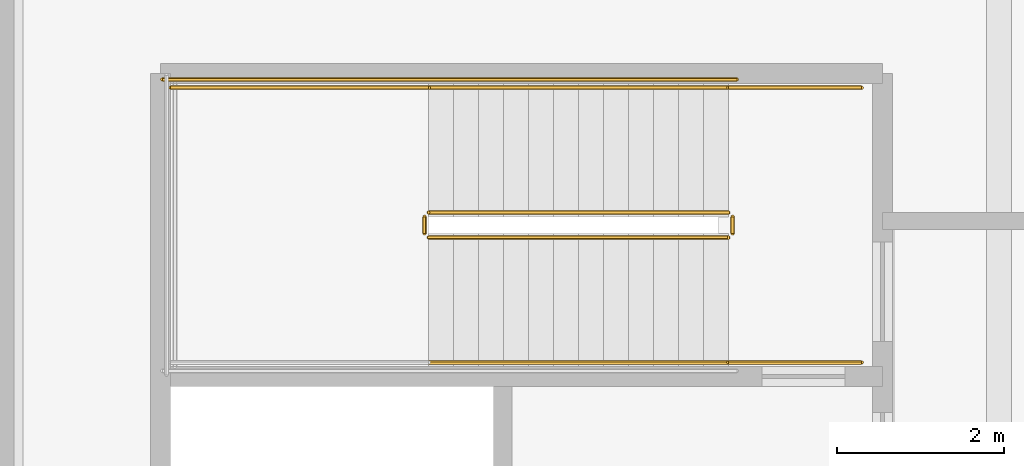
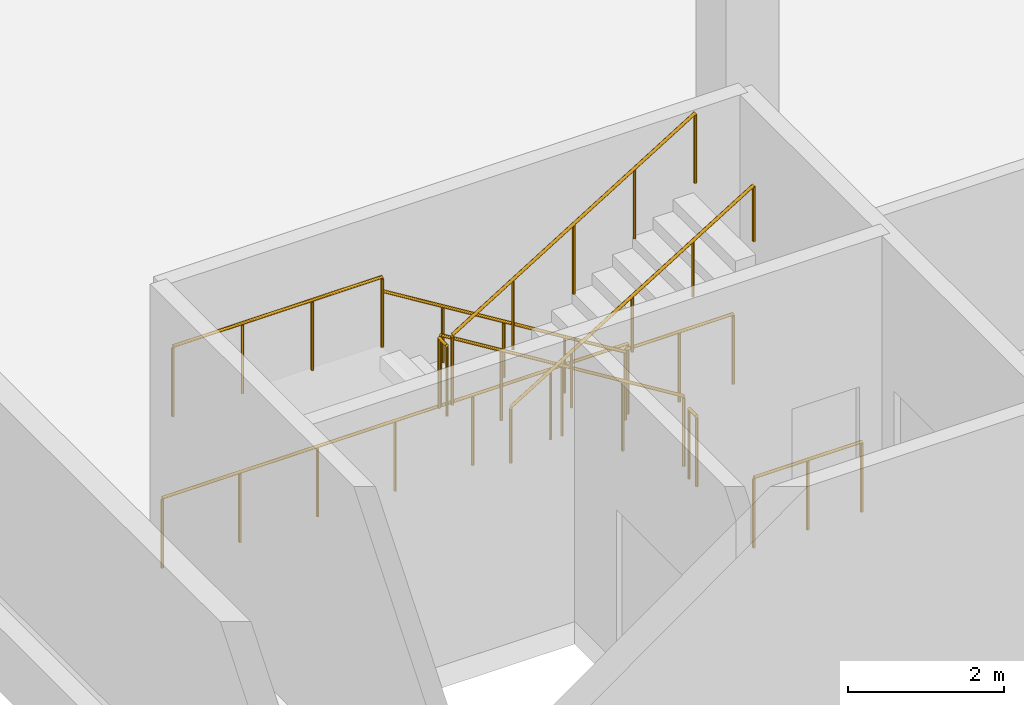
# One storey, part 97 of 112: 10 railings.
"""IFC4 building model written with IfcOpenShell, lengths in metres."""

from ifc_helpers import new_model, si_unit, direction, frame, origin, origin_2d, place, context, subcontext, project, spatial, circle, extrude, material, type_object, element, save


model = new_model("IFC4")

# Units and contexts
model_context = context("Model", 3, precision=1e-05, world=origin(), true_north=direction((0.0, 1.0)))
body_context = subcontext(model_context, "Body", "Model", "MODEL_VIEW")
ifc_project = project(units=[si_unit("LENGTHUNIT", "METRE"), si_unit("AREAUNIT", "SQUARE_METRE"), si_unit("VOLUMEUNIT", "CUBIC_METRE"), si_unit("PLANEANGLEUNIT", "RADIAN"), si_unit("MASSUNIT", "GRAM", prefix="KILO")], contexts=[model_context])

# Site, building, storey
site_placement = place(None, origin())
site = spatial("IfcSite", under=ifc_project, at=site_placement, CompositionType="ELEMENT")
building_placement = place(site_placement, origin())
building = spatial("IfcBuilding", under=site, at=building_placement, Name="Kamomehara Wholesale Market", CompositionType="ELEMENT")
storey_placement = place(building_placement, frame((0.0, 0.0, 6.60009765625)))
storey = spatial("IfcBuildingStorey", under=building, at=storey_placement, Name="L01", CompositionType="ELEMENT", Elevation=6.60009765625)

# Railings
ifc_material_1 = material(Name="Steel SN400B", Category="steel")
railing_type_1 = type_object("IfcRailingType", Name="RAL-HND-900", PredefinedType="HANDRAIL", material=ifc_material_1)
railing_1_placement = place(storey_placement, frame((8.75, 129.25, 0.1845703125)))
element("IfcRailing", 1, at=railing_1_placement, inside=storey, type_object=railing_type_1, Name="L01 ST-04 stair handrail 1", PredefinedType="HANDRAIL", context=body_context, shape_type="SweptSolid", body=[
    extrude(circle(Radius=0.02392578125, at=origin_2d()), frame((0.0, 0.0, 0.8759765625), z_axis=(-0.85167021472, 0.0, 0.524078090897), x_axis=(0.0, -1.0, 0.0)), (0.0, 0.0, 1.0), 4.22705078125),
    extrude(circle(Radius=0.02099609375, at=origin_2d()), origin(), (0.0, 0.0, 1.0), 0.851806640625),
    extrude(circle(Radius=0.02099609375, at=origin_2d()), frame((-0.89990234375, 0.0, 0.5537109375)), (0.0, 0.0, 1.0), 0.851806640625),
    extrude(circle(Radius=0.02099609375, at=origin_2d()), frame((-1.800048828125, 0.0, 1.107666015625)), (0.0, 0.0, 1.0), 0.851806640625),
    extrude(circle(Radius=0.02099609375, at=origin_2d()), frame((-2.7001953125, 0.0, 1.66162109375)), (0.0, 0.0, 1.0), 0.851806640625),
    extrude(circle(Radius=0.02099609375, at=origin_2d()), frame((-3.60009765625, 0.0, 2.21533203125)), (0.0, 0.0, 1.0), 0.851806640625),
])
railing_2_placement = place(storey_placement, frame((5.14990234375, 125.949951171875, 2.58447265625)))
element("IfcRailing", 2, at=railing_2_placement, inside=storey, type_object=railing_type_1, Name="L01 ST-04 stair handrail 2", PredefinedType="HANDRAIL", context=body_context, shape_type="SweptSolid", body=[
    extrude(circle(Radius=0.02392578125, at=origin_2d()), frame((0.0, 0.0, 0.8759765625), z_axis=(0.85167021472, 0.0, 0.524078090897), x_axis=(0.0, 1.0, 0.0)), (0.0, 0.0, 1.0), 4.22705078125),
    extrude(circle(Radius=0.02099609375, at=origin_2d()), origin(), (0.0, 0.0, 1.0), 0.851806640625),
    extrude(circle(Radius=0.02099609375, at=origin_2d()), frame((0.89990234375, 0.0, 0.5537109375)), (0.0, 0.0, 1.0), 0.851806640625),
    extrude(circle(Radius=0.02099609375, at=origin_2d()), frame((1.800048828125, 0.0, 1.107666015625)), (0.0, 0.0, 1.0), 0.851806640625),
    extrude(circle(Radius=0.02099609375, at=origin_2d()), frame((2.7001953125, 0.0, 1.66162109375)), (0.0, 0.0, 1.0), 0.851806640625),
    extrude(circle(Radius=0.02099609375, at=origin_2d()), frame((3.60009765625, 0.0, 2.21533203125)), (0.0, 0.0, 1.0), 0.851806640625),
])
ifc_material_2 = material(Name="Steel SN400B", Category="steel")
railing_type_2 = type_object("IfcRailingType", Name="RAL-INT-1100", PredefinedType="BALUSTRADE", material=ifc_material_2)
railing_3_placement = place(storey_placement, frame((8.75, 127.75, 0.1845703125)))
element("IfcRailing", 3, at=railing_3_placement, inside=storey, type_object=railing_type_2, Name="L01 ST-04 stair guard 1", PredefinedType="BALUSTRADE", context=body_context, shape_type="SweptSolid", body=[
    extrude(circle(Radius=0.02392578125, at=origin_2d()), frame((0.0, 0.0, 1.09619140625), z_axis=(-0.85167021472, 0.0, 0.524078090897), x_axis=(0.0, -1.0, 0.0)), (0.0, 0.0, 1.0), 4.22705078125),
    extrude(circle(Radius=0.02099609375, at=origin_2d()), origin(), (0.0, 0.0, 1.0), 1.072021484375),
    extrude(circle(Radius=0.02099609375, at=origin_2d()), frame((-0.89990234375, 0.0, 0.5537109375)), (0.0, 0.0, 1.0), 1.072021484375),
    extrude(circle(Radius=0.02099609375, at=origin_2d()), frame((-1.800048828125, 0.0, 1.107666015625)), (0.0, 0.0, 1.0), 1.072021484375),
    extrude(circle(Radius=0.02099609375, at=origin_2d()), frame((-2.7001953125, 0.0, 1.66162109375)), (0.0, 0.0, 1.0), 1.072021484375),
    extrude(circle(Radius=0.02099609375, at=origin_2d()), frame((-3.60009765625, 0.0, 2.21533203125)), (0.0, 0.0, 1.0), 1.072021484375),
])
railing_4_placement = place(storey_placement, frame((5.10009765625, 127.699951171875, 2.39990234375)))
element("IfcRailing", 4, at=railing_4_placement, inside=storey, type_object=railing_type_2, Name="L01 ST-04 stair guard 2", PredefinedType="BALUSTRADE", context=body_context, shape_type="SweptSolid", body=[
    extrude(circle(Radius=0.02392578125, at=origin_2d()), frame((0.0, 0.0, 1.09619140625), z_axis=(0.0, -1.0, 0.0), x_axis=(1.0, 0.0, 0.0)), (0.0, 0.0, 1.0), 0.199951171875),
    extrude(circle(Radius=0.02099609375, at=origin_2d()), origin(), (0.0, 0.0, 1.0), 1.072021484375),
    extrude(circle(Radius=0.02099609375, at=origin_2d()), frame((0.0, -0.199951171875, 0.0)), (0.0, 0.0, 1.0), 1.072021484375),
])
railing_5_placement = place(storey_placement, frame((5.14990234375, 129.25, 2.39990234375)))
element("IfcRailing", 5, at=railing_5_placement, inside=storey, type_object=railing_type_2, Name="L01 ST-04 stair guard 3", PredefinedType="BALUSTRADE", context=body_context, shape_type="SweptSolid", body=[
    extrude(circle(Radius=0.02392578125, at=origin_2d()), frame((0.0, 0.0, 1.09619140625), z_axis=(-1.0, 0.0, 0.0), x_axis=(0.0, -1.0, 0.0)), (0.0, 0.0, 1.0), 3.099853515625),
    extrude(circle(Radius=0.02099609375, at=origin_2d()), origin(), (0.0, 0.0, 1.0), 1.072021484375),
    extrude(circle(Radius=0.02099609375, at=origin_2d()), frame((-1.033203125, 0.0, 0.0)), (0.0, 0.0, 1.0), 1.072021484375),
    extrude(circle(Radius=0.02099609375, at=origin_2d()), frame((-2.066650390625, 0.0, 0.0)), (0.0, 0.0, 1.0), 1.072021484375),
    extrude(circle(Radius=0.02099609375, at=origin_2d()), frame((-3.099853515625, 0.0, 0.0)), (0.0, 0.0, 1.0), 1.072021484375),
])
railing_6_placement = place(storey_placement, frame((5.14990234375, 127.449951171875, 2.58447265625)))
element("IfcRailing", 6, at=railing_6_placement, inside=storey, type_object=railing_type_2, Name="L01 ST-04 stair guard 6", PredefinedType="BALUSTRADE", context=body_context, shape_type="SweptSolid", body=[
    extrude(circle(Radius=0.02392578125, at=origin_2d()), frame((0.0, 0.0, 1.09619140625), z_axis=(0.85167021472, 0.0, 0.524078090897), x_axis=(0.0, 1.0, 0.0)), (0.0, 0.0, 1.0), 4.22705078125),
    extrude(circle(Radius=0.02099609375, at=origin_2d()), origin(), (0.0, 0.0, 1.0), 1.072021484375),
    extrude(circle(Radius=0.02099609375, at=origin_2d()), frame((0.89990234375, 0.0, 0.5537109375)), (0.0, 0.0, 1.0), 1.072021484375),
    extrude(circle(Radius=0.02099609375, at=origin_2d()), frame((1.800048828125, 0.0, 1.107666015625)), (0.0, 0.0, 1.0), 1.072021484375),
    extrude(circle(Radius=0.02099609375, at=origin_2d()), frame((2.7001953125, 0.0, 1.66162109375)), (0.0, 0.0, 1.0), 1.072021484375),
    extrude(circle(Radius=0.02099609375, at=origin_2d()), frame((3.60009765625, 0.0, 2.21533203125)), (0.0, 0.0, 1.0), 1.072021484375),
])
railing_7_placement = place(storey_placement, frame((8.800048828125, 127.699951171875, 0.0)))
element("IfcRailing", 7, at=railing_7_placement, inside=storey, type_object=railing_type_2, Name="L01 ST-04 stair guard 7", PredefinedType="BALUSTRADE", context=body_context, shape_type="SweptSolid", body=[
    extrude(circle(Radius=0.02392578125, at=origin_2d()), frame((0.0, 0.0, 1.09619140625), z_axis=(0.0, -1.0, 0.0), x_axis=(1.0, 0.0, 0.0)), (0.0, 0.0, 1.0), 0.199951171875),
    extrude(circle(Radius=0.02099609375, at=origin_2d()), origin(), (0.0, 0.0, 1.0), 1.072021484375),
    extrude(circle(Radius=0.02099609375, at=origin_2d()), frame((0.0, -0.199951171875, 0.0)), (0.0, 0.0, 1.0), 1.072021484375),
])
for number, where, name in (
    (8, (10.35009765625, 129.25, 0.0), "L01 ST-04 stair guard 8"),
    (9, (10.35009765625, 125.949951171875, 0.0), "L01 ST-04 stair guard 9"),
):
    element("IfcRailing", number, at=place(storey_placement, frame(where)), inside=storey, type_object=railing_type_2, Name=name, PredefinedType="BALUSTRADE", context=body_context, shape_type="SweptSolid", body=[
        extrude(circle(Radius=0.02392578125, at=origin_2d()), frame((0.0, 0.0, 1.09619140625), z_axis=(-1.0, 0.0, 0.0), x_axis=(0.0, -1.0, 0.0)), (0.0, 0.0, 1.0), 1.60009765625),
        extrude(circle(Radius=0.02099609375, at=origin_2d()), origin(), (0.0, 0.0, 1.0), 1.072021484375),
        extrude(circle(Radius=0.02099609375, at=origin_2d()), frame((-0.800048828125, 0.0, 0.0)), (0.0, 0.0, 1.0), 1.072021484375),
        extrude(circle(Radius=0.02099609375, at=origin_2d()), frame((-1.60009765625, 0.0, 0.0)), (0.0, 0.0, 1.0), 1.072021484375),
    ])
railing_8_placement = place(storey_placement, frame((8.85009765625, 129.35009765625, 0.0)))
element("IfcRailing", 10, at=railing_8_placement, inside=storey, type_object=railing_type_2, Name="L01 ST-04 stair guard 10", PredefinedType="BALUSTRADE", context=body_context, shape_type="SweptSolid", body=[
    extrude(circle(Radius=0.02392578125, at=origin_2d()), frame((0.0, 0.0, 1.09619140625), z_axis=(-1.0, 0.0, 0.0), x_axis=(0.0, -1.0, 0.0)), (0.0, 0.0, 1.0), 6.900146484375),
    extrude(circle(Radius=0.02099609375, at=origin_2d()), origin(), (0.0, 0.0, 1.0), 1.072021484375),
    extrude(circle(Radius=0.02099609375, at=origin_2d()), frame((-1.14990234375, 0.0, 0.0)), (0.0, 0.0, 1.0), 1.072021484375),
    extrude(circle(Radius=0.02099609375, at=origin_2d()), frame((-2.300048828125, 0.0, 0.0)), (0.0, 0.0, 1.0), 1.072021484375),
    extrude(circle(Radius=0.02099609375, at=origin_2d()), frame((-3.4501953125, 0.0, 0.0)), (0.0, 0.0, 1.0), 1.072021484375),
    extrude(circle(Radius=0.02099609375, at=origin_2d()), frame((-4.60009765625, 0.0, 0.0)), (0.0, 0.0, 1.0), 1.072021484375),
    extrude(circle(Radius=0.02099609375, at=origin_2d()), frame((-5.75, 0.0, 0.0)), (0.0, 0.0, 1.0), 1.072021484375),
    extrude(circle(Radius=0.02099609375, at=origin_2d()), frame((-6.900146484375, 0.0, 0.0)), (0.0, 0.0, 1.0), 1.072021484375),
])

save(model, "model.ifc")
